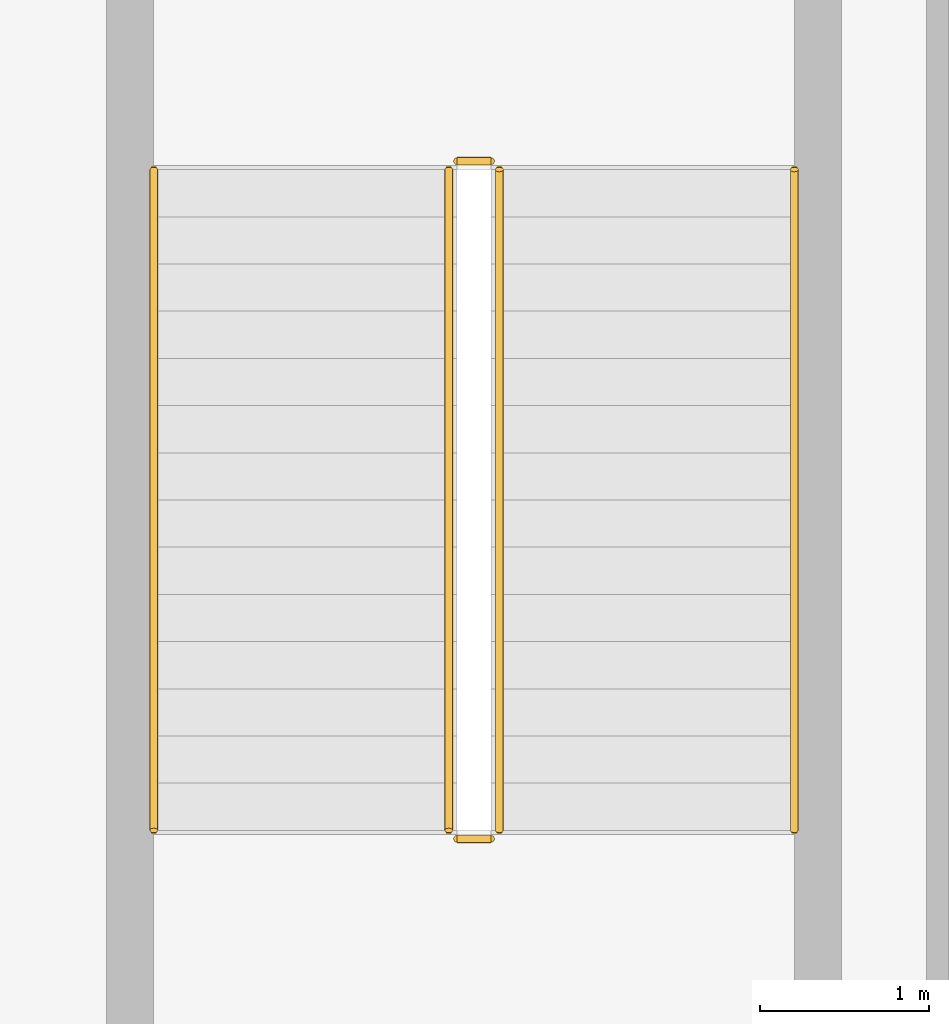
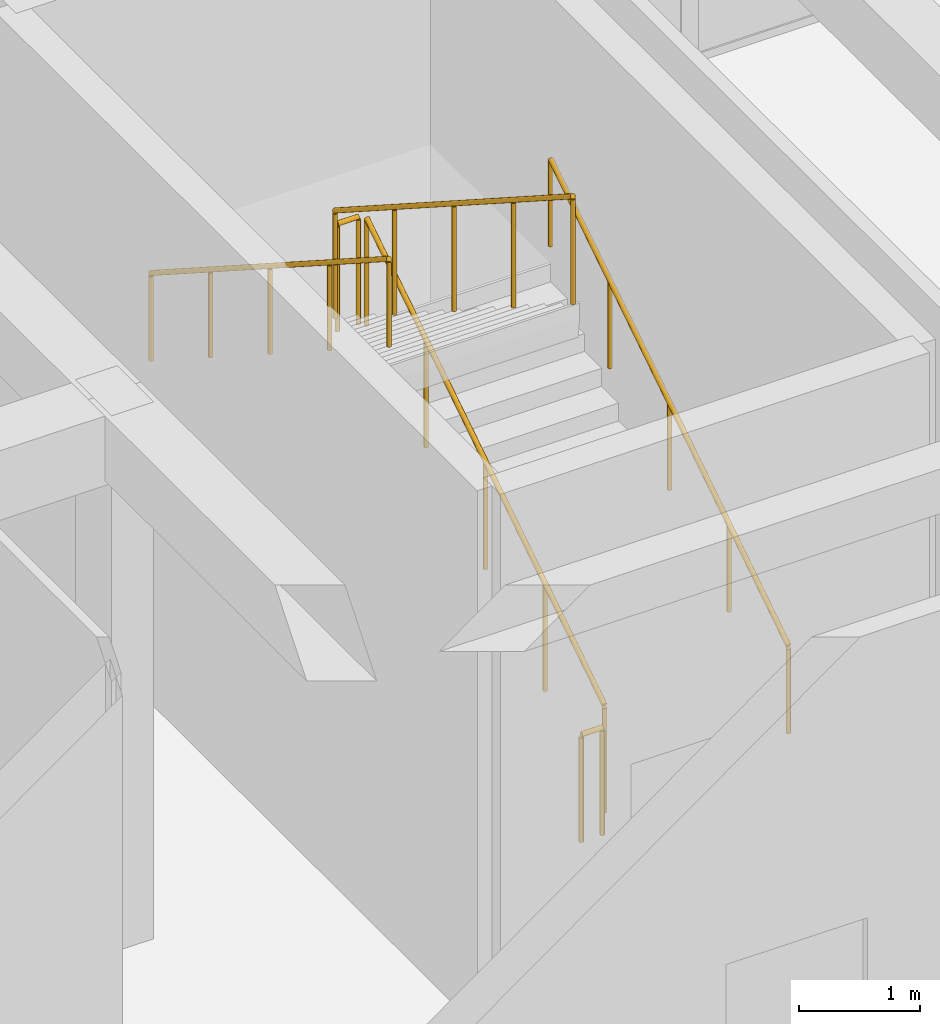
# One storey, part 151 of 157: 6 railings.
"""IFC4 building model written with IfcOpenShell, lengths in metres."""

from ifc_helpers import new_model, si_unit, direction, frame, origin, origin_2d, place, context, subcontext, project, spatial, circle, extrude, material, type_object, element, save


model = new_model("IFC4")

# Units and contexts
model_context = context("Model", 3, precision=1e-05, world=origin(), true_north=direction((0.0, 1.0)))
body_context = subcontext(model_context, "Body", "Model", "MODEL_VIEW")
ifc_project = project(units=[si_unit("LENGTHUNIT", "METRE"), si_unit("AREAUNIT", "SQUARE_METRE"), si_unit("VOLUMEUNIT", "CUBIC_METRE"), si_unit("PLANEANGLEUNIT", "RADIAN"), si_unit("MASSUNIT", "GRAM", prefix="KILO")], contexts=[model_context])

# Site, building, storey
site_placement = place(None, origin())
site = spatial("IfcSite", under=ifc_project, at=site_placement, CompositionType="ELEMENT")
building_placement = place(site_placement, origin())
building = spatial("IfcBuilding", under=site, at=building_placement, Name="Varncliffe General Hospital", CompositionType="ELEMENT")
storey_placement = place(building_placement, frame((0.0, 0.0, 5.39990234375)))
storey = spatial("IfcBuildingStorey", under=building, at=storey_placement, Name="L01", CompositionType="ELEMENT", Elevation=5.39990234375)

# Railings
ifc_material = material(Name="Powder-coated hospital steel guardrail and handrail", Category="steel")
railing_type_1 = type_object("IfcRailingType", Name="Stair and Ramp Handrail HR46", PredefinedType="HANDRAIL", material=ifc_material)
railing_1_placement = place(storey_placement, frame((140.35009765625, 31.60009765625, 0.364013671875)))
element("IfcRailing", 1, at=railing_1_placement, inside=storey, type_object=railing_type_1, Name="L01 ST15 stair handrail 1", PredefinedType="HANDRAIL", context=body_context, shape_type="SweptSolid", body=[
    extrude(circle(Radius=0.02392578125, at=origin_2d()), frame((0.0, 0.0, 0.8759765625), z_axis=(0.0, 0.841171666519, 0.540768182723), x_axis=(-1.0, 0.0, 0.0)), (0.0, 0.0, 1.0), 4.66015625),
    extrude(circle(Radius=0.02099609375, at=origin_2d()), origin(), (0.0, 0.0, 1.0), 0.851806640625),
    extrude(circle(Radius=0.02099609375, at=origin_2d()), frame((0.0, 0.97998046875, 0.6298828125)), (0.0, 0.0, 1.0), 0.851806640625),
    extrude(circle(Radius=0.02099609375, at=origin_2d()), frame((0.0, 1.9599609375, 1.260009765625)), (0.0, 0.0, 1.0), 0.851806640625),
    extrude(circle(Radius=0.02099609375, at=origin_2d()), frame((0.0, 2.93994140625, 1.89013671875)), (0.0, 0.0, 1.0), 0.851806640625),
    extrude(circle(Radius=0.02099609375, at=origin_2d()), frame((0.0, 3.919921875, 2.52001953125)), (0.0, 0.0, 1.0), 0.851806640625),
])
railing_2_placement = place(storey_placement, frame((136.550048828125, 35.52001953125, 3.064208984375)))
element("IfcRailing", 2, at=railing_2_placement, inside=storey, type_object=railing_type_1, Name="L01 ST15 stair handrail 2", PredefinedType="HANDRAIL", context=body_context, shape_type="SweptSolid", body=[
    extrude(circle(Radius=0.02392578125, at=origin_2d()), frame((0.0, 0.0, 0.8759765625), z_axis=(0.0, -0.84119549742, 0.540731111663), x_axis=(1.0, 0.0, 0.0)), (0.0, 0.0, 1.0), 4.659912109375),
    extrude(circle(Radius=0.02099609375, at=origin_2d()), origin(), (0.0, 0.0, 1.0), 0.851806640625),
    extrude(circle(Radius=0.02099609375, at=origin_2d()), frame((0.0, -0.97998046875, 0.6298828125)), (0.0, 0.0, 1.0), 0.851806640625),
    extrude(circle(Radius=0.02099609375, at=origin_2d()), frame((0.0, -1.9599609375, 1.259765625)), (0.0, 0.0, 1.0), 0.851806640625),
    extrude(circle(Radius=0.02099609375, at=origin_2d()), frame((0.0, -2.93994140625, 1.889892578125)), (0.0, 0.0, 1.0), 0.851806640625),
    extrude(circle(Radius=0.02099609375, at=origin_2d()), frame((0.0, -3.919921875, 2.519775390625)), (0.0, 0.0, 1.0), 0.851806640625),
])
railing_type_2 = type_object("IfcRailingType", Name="Stairwell Guardrail SG49", PredefinedType="GUARDRAIL", material=ifc_material)
railing_3_placement = place(storey_placement, frame((138.60009765625, 31.60009765625, 0.18017578125)))
element("IfcRailing", 3, at=railing_3_placement, inside=storey, type_object=railing_type_2, Name="L01 ST15 stair guard 1", PredefinedType="GUARDRAIL", context=body_context, shape_type="SweptSolid", body=[
    extrude(circle(Radius=0.02392578125, at=origin_2d()), frame((0.0, 0.0, 1.076171875), z_axis=(0.0, 0.841171666519, 0.540768182723), x_axis=(-1.0, 0.0, 0.0)), (0.0, 0.0, 1.0), 4.66015625),
    extrude(circle(Radius=0.02099609375, at=origin_2d()), origin(), (0.0, 0.0, 1.0), 1.052001953125),
    extrude(circle(Radius=0.02099609375, at=origin_2d()), frame((0.0, 0.97998046875, 0.6298828125)), (0.0, 0.0, 1.0), 1.052001953125),
    extrude(circle(Radius=0.02099609375, at=origin_2d()), frame((0.0, 1.9599609375, 1.260009765625)), (0.0, 0.0, 1.0), 1.052001953125),
    extrude(circle(Radius=0.02099609375, at=origin_2d()), frame((0.0, 2.93994140625, 1.89013671875)), (0.0, 0.0, 1.0), 1.052001953125),
    extrude(circle(Radius=0.02099609375, at=origin_2d()), frame((0.0, 3.919921875, 2.52001953125)), (0.0, 0.0, 1.0), 1.052001953125),
])
railing_4_placement = place(storey_placement, frame((138.550048828125, 35.570068359375, 2.7001953125)))
element("IfcRailing", 4, at=railing_4_placement, inside=storey, type_object=railing_type_2, Name="L01 ST15 stair guard 2", PredefinedType="GUARDRAIL", context=body_context, shape_type="SweptSolid", body=[
    extrude(circle(Radius=0.02392578125, at=origin_2d()), frame((0.0, 0.0, 1.076171875), z_axis=(-1.0, 0.0, 0.0), x_axis=(0.0, -1.0, 0.0)), (0.0, 0.0, 1.0), 0.199951171875),
    extrude(circle(Radius=0.02099609375, at=origin_2d()), origin(), (0.0, 0.0, 1.0), 1.052001953125),
    extrude(circle(Radius=0.02099609375, at=origin_2d()), frame((-0.199951171875, 0.0, 0.0)), (0.0, 0.0, 1.0), 1.052001953125),
])
railing_5_placement = place(storey_placement, frame((138.300048828125, 35.52001953125, 2.880126953125)))
element("IfcRailing", 5, at=railing_5_placement, inside=storey, type_object=railing_type_2, Name="L01 ST15 stair guard 3", PredefinedType="GUARDRAIL", context=body_context, shape_type="SweptSolid", body=[
    extrude(circle(Radius=0.02392578125, at=origin_2d()), frame((0.0, 0.0, 1.076171875), z_axis=(0.0, -0.841171666519, 0.540768182723), x_axis=(1.0, 0.0, 0.0)), (0.0, 0.0, 1.0), 4.66015625),
    extrude(circle(Radius=0.02099609375, at=origin_2d()), origin(), (0.0, 0.0, 1.0), 1.052001953125),
    extrude(circle(Radius=0.02099609375, at=origin_2d()), frame((0.0, -0.97998046875, 0.6298828125)), (0.0, 0.0, 1.0), 1.052001953125),
    extrude(circle(Radius=0.02099609375, at=origin_2d()), frame((0.0, -1.9599609375, 1.260009765625)), (0.0, 0.0, 1.0), 1.052001953125),
    extrude(circle(Radius=0.02099609375, at=origin_2d()), frame((0.0, -2.93994140625, 1.89013671875)), (0.0, 0.0, 1.0), 1.052001953125),
    extrude(circle(Radius=0.02099609375, at=origin_2d()), frame((0.0, -3.919921875, 2.52001953125)), (0.0, 0.0, 1.0), 1.052001953125),
])
railing_6_placement = place(storey_placement, frame((138.550048828125, 31.550048828125, 0.0)))
element("IfcRailing", 6, at=railing_6_placement, inside=storey, type_object=railing_type_2, Name="L01 ST15 stair guard 4", PredefinedType="GUARDRAIL", context=body_context, shape_type="SweptSolid", body=[
    extrude(circle(Radius=0.02392578125, at=origin_2d()), frame((0.0, 0.0, 1.076171875), z_axis=(-1.0, 0.0, 0.0), x_axis=(0.0, -1.0, 0.0)), (0.0, 0.0, 1.0), 0.199951171875),
    extrude(circle(Radius=0.02099609375, at=origin_2d()), origin(), (0.0, 0.0, 1.0), 1.052001953125),
    extrude(circle(Radius=0.02099609375, at=origin_2d()), frame((-0.199951171875, 0.0, 0.0)), (0.0, 0.0, 1.0), 1.052001953125),
])

save(model, "model.ifc")
